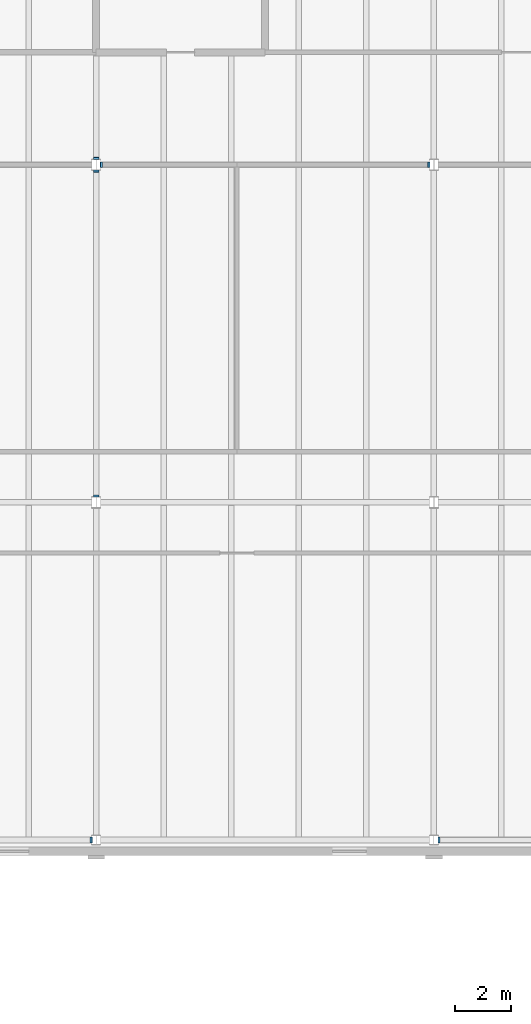
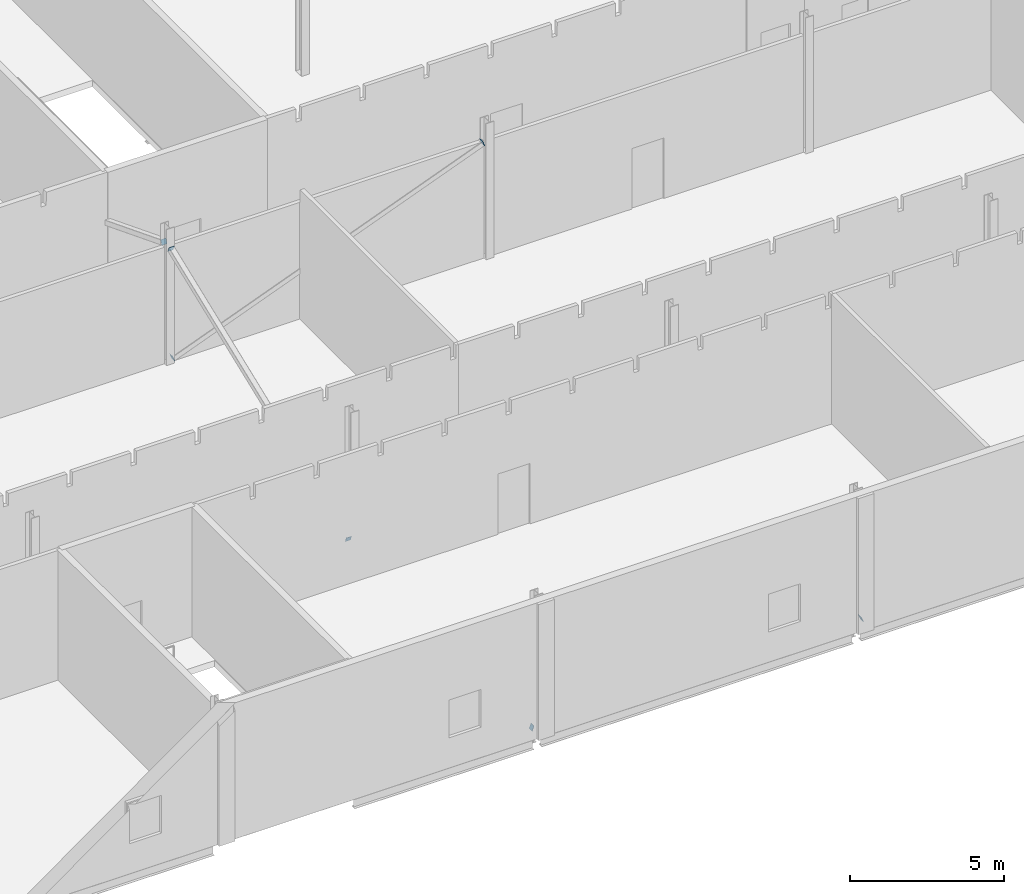
# One storey, part 285 of 321: 7 discrete accessories.
"""IFC4 building model written with IfcOpenShell, lengths in metres."""

from ifc_helpers import new_model, si_unit, direction, frame, origin, origin_2d, place, context, subcontext, project, spatial, rectangle, extrude, material, material_profile, profile_set, type_object, element, save


model = new_model("IFC4")

# Units and contexts
model_context = context("Model", 3, precision=1e-05, world=origin(), true_north=direction((0.0, 1.0)))
body_context = subcontext(model_context, "Body", "Model", "MODEL_VIEW")
ifc_project = project(units=[si_unit("LENGTHUNIT", "METRE"), si_unit("AREAUNIT", "SQUARE_METRE"), si_unit("VOLUMEUNIT", "CUBIC_METRE"), si_unit("PLANEANGLEUNIT", "RADIAN"), si_unit("MASSUNIT", "GRAM", prefix="KILO")], contexts=[model_context])

# Site, building, storey
site_placement = place(None, origin())
site = spatial("IfcSite", under=ifc_project, at=site_placement, CompositionType="ELEMENT")
building_placement = place(site_placement, origin())
building = spatial("IfcBuilding", under=site, at=building_placement, Name="Ravi Spectrum Wholesale Market", CompositionType="ELEMENT")
storey_placement = place(building_placement, frame((0.0, 0.0, 10.800048828125)))
storey = spatial("IfcBuildingStorey", under=building, at=storey_placement, Name="L02", CompositionType="ELEMENT", Elevation=10.800048828125)

# Discrete accessories
ifc_material = material(Name="Steel S355", Category="steel")
ifc_material_profile = material_profile(ifc_material, rectangle(XDim=0.199951171875, YDim=0.199951171875, at=origin_2d()))
ifc_profile_set = profile_set([ifc_material_profile], Name="Steel S355")
discrete_accessory_type = type_object("IfcDiscreteAccessoryType", Name="End plate SHS 200x200x8", PredefinedType="BRACKET", material=ifc_profile_set)
for number, where, z_axis, x_axis, name in (
    (1, (245.814208984375, 18.0, 0.09326171875), (0.937994498829, 0.0, -0.346650140872), (0.0, 1.0, 0.0), "End plate"),
    (2, (258.185791015625, 18.0, 0.09326171875), (-0.937994498829, 0.0, -0.346650140872), (0.0, -1.0, 0.0), "End plate"),
    (3, (246.185791015625, 42.0, 0.09326171875), (-0.937994498829, 0.0, -0.346650140872), (0.0, -1.0, 0.0), "End plate"),
    (4, (257.814208984375, 42.0, 4.556640625), (0.937994498829, 0.0, 0.346650140872), (0.0, 1.0, 0.0), "End plate"),
    (5, (246.0, 30.236572265625, 0.093017578125), (0.0, -0.931242779706, -0.364399348581), (1.0, 0.0, 0.0), "End plate"),
    (6, (246.0, 41.763427734375, 4.60693359375), (0.0, 0.931242779706, 0.364399348581), (-1.0, 0.0, 0.0), "End plate"),
    (7, (246.0, 42.236572265625, 4.60693359375), (0.0, -0.931242779706, 0.364399348581), (1.0, 0.0, 0.0), "End plate"),
):
    element("IfcDiscreteAccessory", number, at=place(storey_placement, frame(where, z_axis=z_axis, x_axis=x_axis)), inside=storey, type_object=discrete_accessory_type, Name=name, PredefinedType="BRACKET", context=body_context, shape_type="SweptSolid", body=[
        extrude(rectangle(XDim=0.199951171875, YDim=0.199951171875, at=origin_2d()), origin(), (0.0, 0.0, 1.0), 0.011962890625),
    ])

save(model, "model.ifc")
